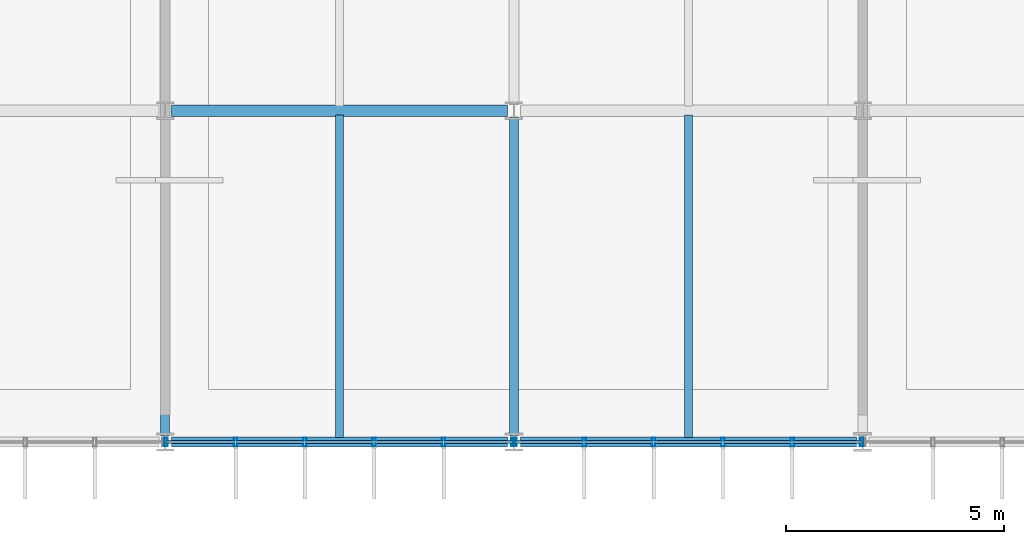
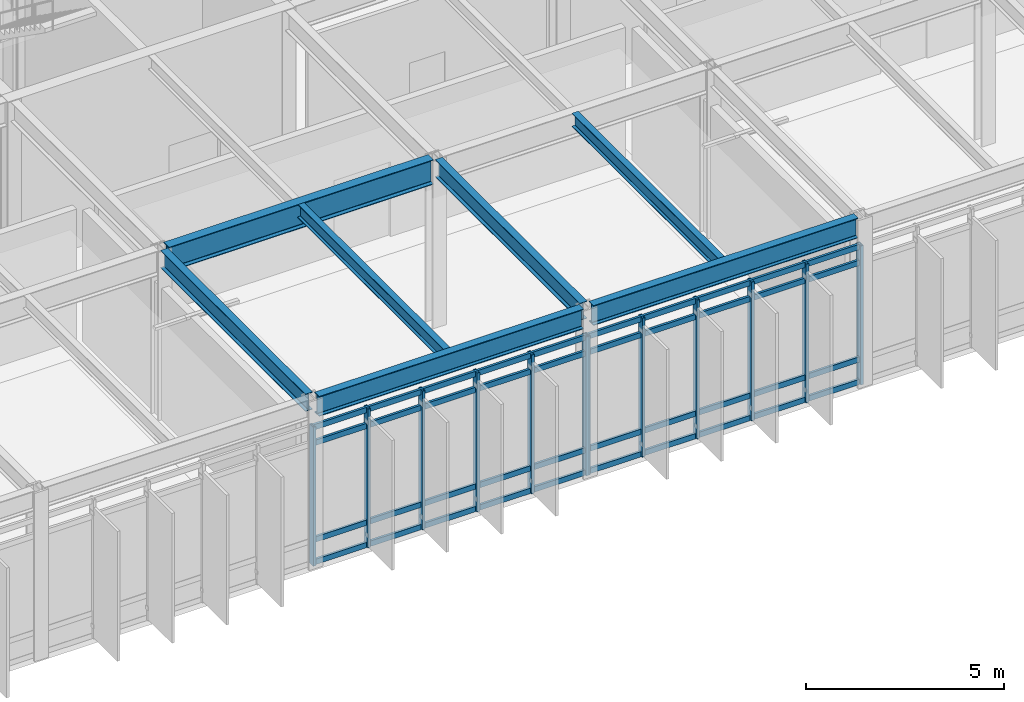
# One storey, part 23 of 94: 20 members, 7 beams, 2 elements without a shape of their own.
"""IFC4 building model written with IfcOpenShell, lengths in metres."""

from ifc_helpers import new_model, si_unit, direction, frame, origin, origin_2d, place, context, subcontext, project, spatial, hollow_rectangle, i_section, extrude, material, material_profile, profile_set, type_object, element, aggregate, save


model = new_model("IFC4")

# Units and contexts
model_context = context("Model", 3, precision=1e-05, world=origin(), true_north=direction((0.0, 1.0)))
body_context = subcontext(model_context, "Body", "Model", "MODEL_VIEW")
ifc_project = project(units=[si_unit("LENGTHUNIT", "METRE"), si_unit("AREAUNIT", "SQUARE_METRE"), si_unit("VOLUMEUNIT", "CUBIC_METRE"), si_unit("PLANEANGLEUNIT", "RADIAN"), si_unit("MASSUNIT", "GRAM", prefix="KILO")], contexts=[model_context])

# Site, building, storey
site_placement = place(None, origin())
site = spatial("IfcSite", under=ifc_project, at=site_placement, CompositionType="ELEMENT")
building_placement = place(site_placement, origin())
building = spatial("IfcBuilding", under=site, at=building_placement, Name="Zulena Civic Courthouse", CompositionType="ELEMENT")
storey_placement = place(building_placement, frame((0.0, 0.0, 5.39990234375)))
storey = spatial("IfcBuildingStorey", under=building, at=storey_placement, Name="L01", CompositionType="ELEMENT", Elevation=5.39990234375)

# Curtain wall, members
ifc_material_1 = material(Name="Double-silver low-E laminated solar-control glass", Category="glass")
curtain_wall_type = type_object("IfcCurtainWallType", Name="CW_7952x4280", PredefinedType="USERDEFINED", material=ifc_material_1)
curtain_wall_1_placement = place(storey_placement, origin())
curtain_wall_1 = element("IfcCurtainWall", 1, at=curtain_wall_1_placement, inside=storey, type_object=curtain_wall_type, Name="cw:V2:L01:5:2", ObjectType="UNITISED CURTAIN WALL", PredefinedType="USERDEFINED")
ifc_material_2 = material(Name="Bronze anodised thermally broken aluminium AA6063-T6", Category="aluminium")
ifc_material_profile_1 = material_profile(ifc_material_2, hollow_rectangle(XDim=0.080078125, YDim=0.199951171875, WallThickness=0.0048828125, at=origin_2d()), Name="CWM200X80X5")
ifc_profile_set_1 = profile_set([ifc_material_profile_1], Name="Bronze anodised thermally broken aluminium AA6063-T6")
member_type_1 = type_object("IfcMemberType", Name="CWMullion_200x80", PredefinedType="MULLION", material=ifc_profile_set_1)
member_1_placement = place(storey_placement, frame((35.97607421875, 0.0, 0.0), z_axis=(0.0, 0.0, 1.0), x_axis=(1.0, 0.0, 0.0)))
member_1 = element("IfcMember", 2, at=member_1_placement, type_object=member_type_1, Name="cw:V2:L01:5:2:mull:0", PredefinedType="MULLION", context=body_context, shape_type="SweptSolid", body=[
    extrude(hollow_rectangle(XDim=0.080078125, YDim=0.199951171875, WallThickness=0.0048828125, at=origin_2d()), origin(), (0.0, 0.0, 1.0), 4.280029296875),
])
member_2_placement = place(storey_placement, frame((34.385498046875, 0.0, 0.0), z_axis=(0.0, 0.0, 1.0), x_axis=(1.0, 0.0, 0.0)))
member_2 = element("IfcMember", 3, at=member_2_placement, type_object=member_type_1, Name="cw:V2:L01:5:2:mull:1", PredefinedType="MULLION", context=body_context, shape_type="SweptSolid", body=[
    extrude(hollow_rectangle(XDim=0.080078125, YDim=0.199951171875, WallThickness=0.0048828125, at=origin_2d()), origin(), (0.0, 0.0, 1.0), 4.280029296875),
])
member_3_placement = place(storey_placement, frame((32.795166015625, 0.0, 0.0), z_axis=(0.0, 0.0, 1.0), x_axis=(1.0, 0.0, 0.0)))
member_3 = element("IfcMember", 4, at=member_3_placement, type_object=member_type_1, Name="cw:V2:L01:5:2:mull:2", PredefinedType="MULLION", context=body_context, shape_type="SweptSolid", body=[
    extrude(hollow_rectangle(XDim=0.080078125, YDim=0.199951171875, WallThickness=0.0048828125, at=origin_2d()), origin(), (0.0, 0.0, 1.0), 4.280029296875),
])
member_4_placement = place(storey_placement, frame((31.204833984375, 0.0, 0.0), z_axis=(0.0, 0.0, 1.0), x_axis=(1.0, 0.0, 0.0)))
member_4 = element("IfcMember", 5, at=member_4_placement, type_object=member_type_1, Name="cw:V2:L01:5:2:mull:3", PredefinedType="MULLION", context=body_context, shape_type="SweptSolid", body=[
    extrude(hollow_rectangle(XDim=0.080078125, YDim=0.199951171875, WallThickness=0.0048828125, at=origin_2d()), origin(), (0.0, 0.0, 1.0), 4.280029296875),
])
member_5_placement = place(storey_placement, frame((29.614501953125, 0.0, 0.0), z_axis=(0.0, 0.0, 1.0), x_axis=(1.0, 0.0, 0.0)))
member_5 = element("IfcMember", 6, at=member_5_placement, type_object=member_type_1, Name="cw:V2:L01:5:2:mull:4", PredefinedType="MULLION", context=body_context, shape_type="SweptSolid", body=[
    extrude(hollow_rectangle(XDim=0.080078125, YDim=0.199951171875, WallThickness=0.0048828125, at=origin_2d()), origin(), (0.0, 0.0, 1.0), 4.280029296875),
])
member_6_placement = place(storey_placement, frame((28.02392578125, 0.0, 0.0), z_axis=(0.0, 0.0, 1.0), x_axis=(1.0, 0.0, 0.0)))
member_6 = element("IfcMember", 7, at=member_6_placement, type_object=member_type_1, Name="cw:V2:L01:5:2:mull:5", PredefinedType="MULLION", context=body_context, shape_type="SweptSolid", body=[
    extrude(hollow_rectangle(XDim=0.080078125, YDim=0.199951171875, WallThickness=0.0048828125, at=origin_2d()), origin(), (0.0, 0.0, 1.0), 4.280029296875),
])

curtain_wall_2_placement = place(storey_placement, origin())
curtain_wall_2 = element("IfcCurtainWall", 8, at=curtain_wall_2_placement, inside=storey, type_object=curtain_wall_type, Name="cw:V2:L01:5:3", ObjectType="UNITISED CURTAIN WALL", PredefinedType="USERDEFINED")
member_7_placement = place(storey_placement, frame((27.97607421875, 0.0, 0.0), z_axis=(0.0, 0.0, 1.0), x_axis=(1.0, 0.0, 0.0)))
member_7 = element("IfcMember", 9, at=member_7_placement, type_object=member_type_1, Name="cw:V2:L01:5:3:mull:0", PredefinedType="MULLION", context=body_context, shape_type="SweptSolid", body=[
    extrude(hollow_rectangle(XDim=0.080078125, YDim=0.199951171875, WallThickness=0.0048828125, at=origin_2d()), origin(), (0.0, 0.0, 1.0), 4.280029296875),
])
member_8_placement = place(storey_placement, frame((26.385498046875, 0.0, 0.0), z_axis=(0.0, 0.0, 1.0), x_axis=(1.0, 0.0, 0.0)))
member_8 = element("IfcMember", 10, at=member_8_placement, type_object=member_type_1, Name="cw:V2:L01:5:3:mull:1", PredefinedType="MULLION", context=body_context, shape_type="SweptSolid", body=[
    extrude(hollow_rectangle(XDim=0.080078125, YDim=0.199951171875, WallThickness=0.0048828125, at=origin_2d()), origin(), (0.0, 0.0, 1.0), 4.280029296875),
])
member_9_placement = place(storey_placement, frame((24.795166015625, 0.0, 0.0), z_axis=(0.0, 0.0, 1.0), x_axis=(1.0, 0.0, 0.0)))
member_9 = element("IfcMember", 11, at=member_9_placement, type_object=member_type_1, Name="cw:V2:L01:5:3:mull:2", PredefinedType="MULLION", context=body_context, shape_type="SweptSolid", body=[
    extrude(hollow_rectangle(XDim=0.080078125, YDim=0.199951171875, WallThickness=0.0048828125, at=origin_2d()), origin(), (0.0, 0.0, 1.0), 4.280029296875),
])
member_10_placement = place(storey_placement, frame((23.204833984375, 0.0, 0.0), z_axis=(0.0, 0.0, 1.0), x_axis=(1.0, 0.0, 0.0)))
member_10 = element("IfcMember", 12, at=member_10_placement, type_object=member_type_1, Name="cw:V2:L01:5:3:mull:3", PredefinedType="MULLION", context=body_context, shape_type="SweptSolid", body=[
    extrude(hollow_rectangle(XDim=0.080078125, YDim=0.199951171875, WallThickness=0.0048828125, at=origin_2d()), origin(), (0.0, 0.0, 1.0), 4.280029296875),
])
member_11_placement = place(storey_placement, frame((21.614501953125, 0.0, 0.0), z_axis=(0.0, 0.0, 1.0), x_axis=(1.0, 0.0, 0.0)))
member_11 = element("IfcMember", 13, at=member_11_placement, type_object=member_type_1, Name="cw:V2:L01:5:3:mull:4", PredefinedType="MULLION", context=body_context, shape_type="SweptSolid", body=[
    extrude(hollow_rectangle(XDim=0.080078125, YDim=0.199951171875, WallThickness=0.0048828125, at=origin_2d()), origin(), (0.0, 0.0, 1.0), 4.280029296875),
])
member_12_placement = place(storey_placement, frame((20.02392578125, 0.0, 0.0), z_axis=(0.0, 0.0, 1.0), x_axis=(1.0, 0.0, 0.0)))
member_12 = element("IfcMember", 14, at=member_12_placement, type_object=member_type_1, Name="cw:V2:L01:5:3:mull:5", PredefinedType="MULLION", context=body_context, shape_type="SweptSolid", body=[
    extrude(hollow_rectangle(XDim=0.080078125, YDim=0.199951171875, WallThickness=0.0048828125, at=origin_2d()), origin(), (0.0, 0.0, 1.0), 4.280029296875),
])

# Member
ifc_material_profile_2 = material_profile(ifc_material_2, hollow_rectangle(XDim=0.070068359375, YDim=0.1650390625, WallThickness=0.00390625, at=origin_2d()), Name="CWT165X70X4")
ifc_profile_set_2 = profile_set([ifc_material_profile_2], Name="Bronze anodised thermally broken aluminium AA6063-T6")
member_type_2 = type_object("IfcMemberType", Name="CWTransom_165x70", PredefinedType="USERDEFINED", material=ifc_profile_set_2)
member_13_placement = place(storey_placement, frame((35.97607421875, 0.0, 0.06005859375), z_axis=(-1.0, 0.0, 0.0), x_axis=(0.0, -1.0, 0.0)))
member_13 = element("IfcMember", 15, at=member_13_placement, type_object=member_type_2, Name="cw:V2:L01:5:2:tran:0", ObjectType="TRANSOM", PredefinedType="USERDEFINED", context=body_context, shape_type="SweptSolid", body=[
    extrude(hollow_rectangle(XDim=0.070068359375, YDim=0.1650390625, WallThickness=0.00390625, at=origin_2d()), origin(), (0.0, 0.0, 1.0), 7.9521484375),
])

member_14_placement = place(storey_placement, frame((35.97607421875, 0.0, 0.75), z_axis=(-1.0, 0.0, 0.0), x_axis=(0.0, -1.0, 0.0)))
member_14 = element("IfcMember", 16, at=member_14_placement, type_object=member_type_2, Name="cw:V2:L01:5:2:tran:1", ObjectType="TRANSOM", PredefinedType="USERDEFINED", context=body_context, shape_type="SweptSolid", body=[
    extrude(hollow_rectangle(XDim=0.070068359375, YDim=0.1650390625, WallThickness=0.00390625, at=origin_2d()), origin(), (0.0, 0.0, 1.0), 7.9521484375),
])

member_15_placement = place(storey_placement, frame((35.97607421875, 0.0, 3.72998046875), z_axis=(-1.0, 0.0, 0.0), x_axis=(0.0, -1.0, 0.0)))
member_15 = element("IfcMember", 17, at=member_15_placement, type_object=member_type_2, Name="cw:V2:L01:5:2:tran:2", ObjectType="TRANSOM", PredefinedType="USERDEFINED", context=body_context, shape_type="SweptSolid", body=[
    extrude(hollow_rectangle(XDim=0.070068359375, YDim=0.1650390625, WallThickness=0.00390625, at=origin_2d()), origin(), (0.0, 0.0, 1.0), 7.9521484375),
])

member_16_placement = place(storey_placement, frame((35.97607421875, 0.0, 4.22021484375), z_axis=(-1.0, 0.0, 0.0), x_axis=(0.0, -1.0, 0.0)))
member_16 = element("IfcMember", 18, at=member_16_placement, type_object=member_type_2, Name="cw:V2:L01:5:2:tran:3", ObjectType="TRANSOM", PredefinedType="USERDEFINED", context=body_context, shape_type="SweptSolid", body=[
    extrude(hollow_rectangle(XDim=0.070068359375, YDim=0.1650390625, WallThickness=0.00390625, at=origin_2d()), origin(), (0.0, 0.0, 1.0), 7.9521484375),
])

aggregate(curtain_wall_1, [member_1, member_2, member_3, member_4, member_5, member_6, member_13, member_14, member_15, member_16])

member_17_placement = place(storey_placement, frame((27.97607421875, 0.0, 0.06005859375), z_axis=(-1.0, 0.0, 0.0), x_axis=(0.0, -1.0, 0.0)))
member_17 = element("IfcMember", 19, at=member_17_placement, type_object=member_type_2, Name="cw:V2:L01:5:3:tran:0", ObjectType="TRANSOM", PredefinedType="USERDEFINED", context=body_context, shape_type="SweptSolid", body=[
    extrude(hollow_rectangle(XDim=0.070068359375, YDim=0.1650390625, WallThickness=0.00390625, at=origin_2d()), origin(), (0.0, 0.0, 1.0), 7.9521484375),
])

member_18_placement = place(storey_placement, frame((27.97607421875, 0.0, 0.75), z_axis=(-1.0, 0.0, 0.0), x_axis=(0.0, -1.0, 0.0)))
member_18 = element("IfcMember", 20, at=member_18_placement, type_object=member_type_2, Name="cw:V2:L01:5:3:tran:1", ObjectType="TRANSOM", PredefinedType="USERDEFINED", context=body_context, shape_type="SweptSolid", body=[
    extrude(hollow_rectangle(XDim=0.070068359375, YDim=0.1650390625, WallThickness=0.00390625, at=origin_2d()), origin(), (0.0, 0.0, 1.0), 7.9521484375),
])

member_19_placement = place(storey_placement, frame((27.97607421875, 0.0, 3.72998046875), z_axis=(-1.0, 0.0, 0.0), x_axis=(0.0, -1.0, 0.0)))
member_19 = element("IfcMember", 21, at=member_19_placement, type_object=member_type_2, Name="cw:V2:L01:5:3:tran:2", ObjectType="TRANSOM", PredefinedType="USERDEFINED", context=body_context, shape_type="SweptSolid", body=[
    extrude(hollow_rectangle(XDim=0.070068359375, YDim=0.1650390625, WallThickness=0.00390625, at=origin_2d()), origin(), (0.0, 0.0, 1.0), 7.9521484375),
])

member_20_placement = place(storey_placement, frame((27.97607421875, 0.0, 4.22021484375), z_axis=(-1.0, 0.0, 0.0), x_axis=(0.0, -1.0, 0.0)))
member_20 = element("IfcMember", 22, at=member_20_placement, type_object=member_type_2, Name="cw:V2:L01:5:3:tran:3", ObjectType="TRANSOM", PredefinedType="USERDEFINED", context=body_context, shape_type="SweptSolid", body=[
    extrude(hollow_rectangle(XDim=0.070068359375, YDim=0.1650390625, WallThickness=0.00390625, at=origin_2d()), origin(), (0.0, 0.0, 1.0), 7.9521484375),
])

aggregate(curtain_wall_2, [member_7, member_8, member_9, member_10, member_11, member_12, member_17, member_18, member_19, member_20])

# Beams
ifc_material_3 = material(Name="Steel ASTM A992 Grade 50", Category="steel")
ifc_material_profile_3 = material_profile(ifc_material_3, i_section(OverallWidth=0.26708984375, OverallDepth=0.761962890625, WebThickness=0.014404296875, FlangeThickness=0.021484375, FilletRadius=0.0166015625, at=origin_2d()), Name="W30X116")
ifc_profile_set_3 = profile_set([ifc_material_profile_3], Name="Steel ASTM A992 Grade 50")
beam_type_1 = type_object("IfcBeamType", Name="Girder_W30X116", PredefinedType="BEAM", material=ifc_profile_set_3)
beam_placement = place(storey_placement, frame((20.14501953125, 7.60009765625, 4.80419921875), z_axis=(1.0, 0.0, 0.0), x_axis=(0.0, 1.0, 0.0)))
element("IfcBeam", 23, at=beam_placement, inside=storey, type_object=beam_type_1, Name="beam:X:V2:L01:7.6:20.0_28.0", PredefinedType="BEAM", context=body_context, shape_type="SweptSolid", body=[
    extrude(i_section(OverallWidth=0.26708984375, OverallDepth=0.761962890625, WebThickness=0.014404296875, FlangeThickness=0.021484375, FilletRadius=0.0166015625, at=origin_2d()), origin(), (0.0, 0.0, 1.0), 7.7099609375),
])
ifc_material_profile_4 = material_profile(ifc_material_3, i_section(OverallWidth=0.180908203125, OverallDepth=0.4169921875, WebThickness=0.010986328125, FlangeThickness=0.018310546875, FilletRadius=0.01025390625, at=origin_2d()), Name="W16X57")
ifc_profile_set_4 = profile_set([ifc_material_profile_4], Name="Steel ASTM A992 Grade 50")
beam_type_2 = type_object("IfcBeamType", Name="Joist_W16X57", PredefinedType="JOIST", material=ifc_profile_set_4)
for number, where, z_axis, x_axis, name in (
    (24, (24.0, 0.10498046875, 4.9765625), (0.0, 1.0, 0.0), (-1.0, 0.0, 0.0), "joist:V2:L01:24.00:0.0_7.6"),
    (25, (32.0, 0.10498046875, 4.9765625), (0.0, 1.0, 0.0), (-1.0, 0.0, 0.0), "joist:V2:L01:32.00:0.0_7.6"),
):
    element("IfcBeam", number, at=place(storey_placement, frame(where, z_axis=z_axis, x_axis=x_axis)), inside=storey, type_object=beam_type_2, Name=name, PredefinedType="JOIST", context=body_context, shape_type="SweptSolid", body=[
        extrude(i_section(OverallWidth=0.180908203125, OverallDepth=0.4169921875, WebThickness=0.010986328125, FlangeThickness=0.018310546875, FilletRadius=0.01025390625, at=origin_2d()), origin(), (0.0, 0.0, 1.0), 7.39013671875),
    ])
ifc_material_profile_5 = material_profile(ifc_material_3, i_section(OverallWidth=0.2099609375, OverallDepth=0.537109375, WebThickness=0.010986328125, FlangeThickness=0.017333984375, FilletRadius=0.0126953125, at=origin_2d()), Name="W21X68")
ifc_profile_set_5 = profile_set([ifc_material_profile_5], Name="Steel ASTM A992 Grade 50")
beam_type_3 = type_object("IfcBeamType", Name="Spandrel_W21X68", PredefinedType="SPANDREL", material=ifc_profile_set_5)
for number, where, z_axis, x_axis, name in (
    (26, (20.0, 0.14501953125, 4.91650390625), (0.0, 1.0, 0.0), (-1.0, 0.0, 0.0), "beam:Y:V2:L01:20.0:0.0_7.6"),
    (27, (28.0, 0.14501953125, 4.91650390625), (0.0, 1.0, 0.0), (-1.0, 0.0, 0.0), "beam:Y:V2:L01:28.0:0.0_7.6"),
):
    element("IfcBeam", number, at=place(storey_placement, frame(where, z_axis=z_axis, x_axis=x_axis)), inside=storey, type_object=beam_type_3, Name=name, PredefinedType="SPANDREL", context=body_context, shape_type="SweptSolid", body=[
        extrude(i_section(OverallWidth=0.2099609375, OverallDepth=0.537109375, WebThickness=0.010986328125, FlangeThickness=0.017333984375, FilletRadius=0.0126953125, at=origin_2d()), origin(), (0.0, 0.0, 1.0), 7.31005859375),
    ])
ifc_material_profile_6 = material_profile(ifc_material_3, i_section(OverallWidth=0.22998046875, OverallDepth=0.616943359375, WebThickness=0.01318359375, FlangeThickness=0.022216796875, FilletRadius=0.0126953125, at=origin_2d()), Name="W24X94")
ifc_profile_set_6 = profile_set([ifc_material_profile_6], Name="Steel ASTM A992 Grade 50")
beam_type_4 = type_object("IfcBeamType", Name="Spandrel_W24X94", PredefinedType="SPANDREL", material=ifc_profile_set_6)
for number, where, z_axis, x_axis, name in (
    (28, (20.14501953125, 0.0, 4.876708984375), (1.0, 0.0, 0.0), (0.0, 1.0, 0.0), "beam:X:V2:L01:0.0:20.0_28.0"),
    (29, (28.14501953125, 0.0, 4.876708984375), (1.0, 0.0, 0.0), (0.0, 1.0, 0.0), "beam:X:V2:L01:0.0:28.0_36.0"),
):
    element("IfcBeam", number, at=place(storey_placement, frame(where, z_axis=z_axis, x_axis=x_axis)), inside=storey, type_object=beam_type_4, Name=name, PredefinedType="SPANDREL", context=body_context, shape_type="SweptSolid", body=[
        extrude(i_section(OverallWidth=0.22998046875, OverallDepth=0.616943359375, WebThickness=0.01318359375, FlangeThickness=0.022216796875, FilletRadius=0.0126953125, at=origin_2d()), origin(), (0.0, 0.0, 1.0), 7.7099609375),
    ])

save(model, "model.ifc")
